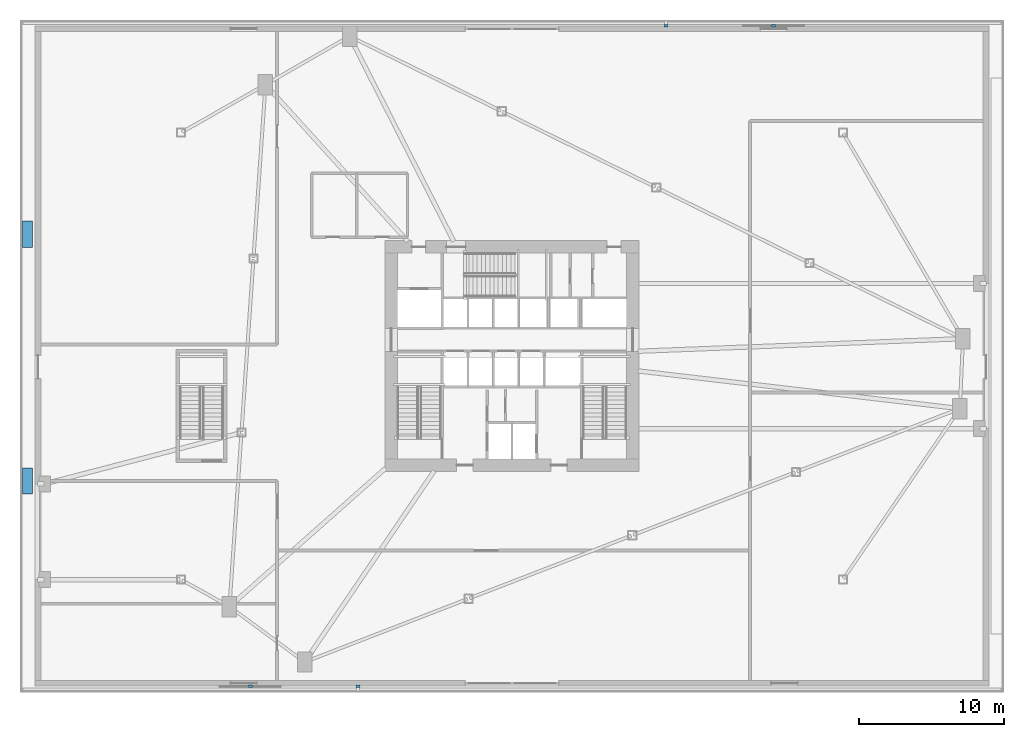
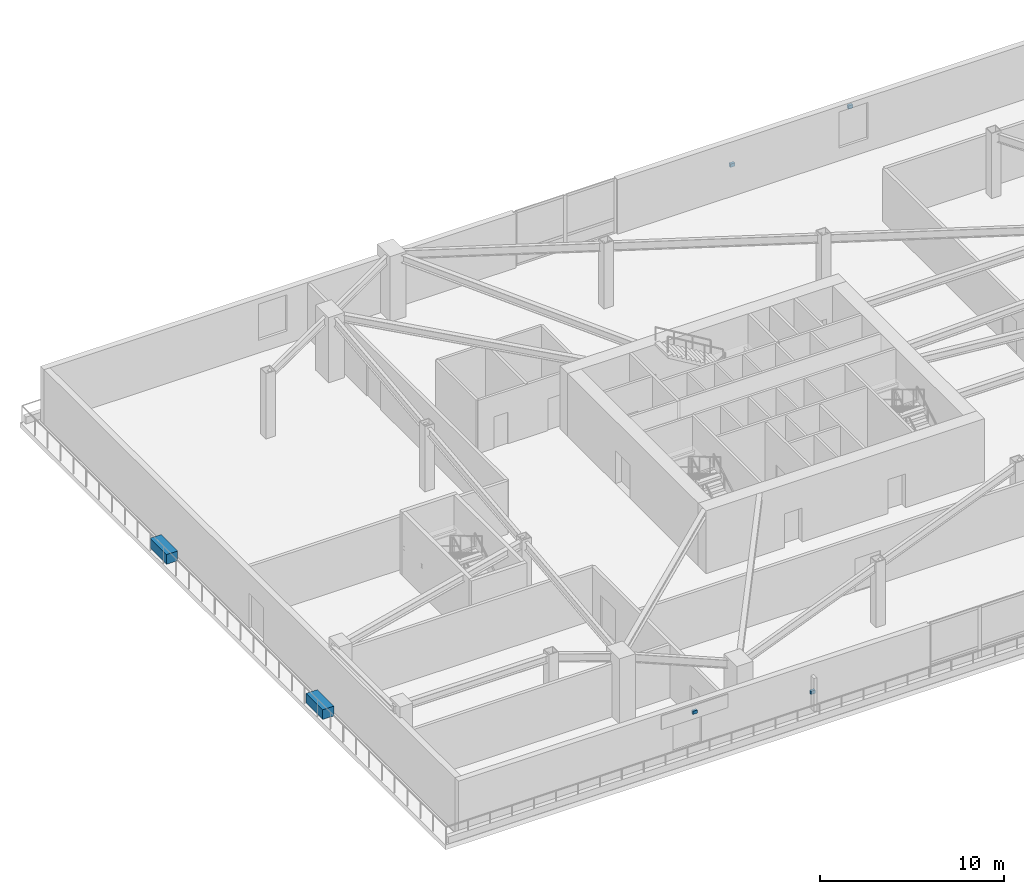
# One storey, part 11 of 16: 6 discrete accessories.
"""IFC4 building model written with IfcOpenShell, lengths in metres."""

from ifc_helpers import new_model, si_unit, direction, frame, origin, origin_2d, place, context, subcontext, project, spatial, rectangle, extrude, source, transform, mapped, material, type_object, element, save


model = new_model("IFC4")

# Units and contexts
model_context = context("Model", 3, precision=1e-05, world=origin(), true_north=direction((0.0, 1.0)))
body_context = subcontext(model_context, "Body", "Model", "MODEL_VIEW")
ifc_project = project(units=[si_unit("LENGTHUNIT", "METRE"), si_unit("AREAUNIT", "SQUARE_METRE"), si_unit("VOLUMEUNIT", "CUBIC_METRE"), si_unit("PLANEANGLEUNIT", "RADIAN"), si_unit("MASSUNIT", "GRAM", prefix="KILO")], contexts=[model_context])

# Site, building, storey
site_placement = place(None, origin())
site = spatial("IfcSite", under=ifc_project, at=site_placement, CompositionType="ELEMENT")
building_placement = place(site_placement, origin())
building = spatial("IfcBuilding", under=site, at=building_placement, Name="Olszyna Solenne Hotel", CompositionType="ELEMENT")
storey_placement = place(building_placement, frame((0.0, 0.0, 15.60009765625)))
storey = spatial("IfcBuildingStorey", under=building, at=storey_placement, Name="L03", CompositionType="ELEMENT", Elevation=15.60009765625)

# Discrete accessories
ifc_material_1 = material(Name="Steel S355J2", Category="steel")
discrete_accessory_type_1 = type_object("IfcDiscreteAccessoryType", Name="BRK-01", PredefinedType="BRACKET", material=ifc_material_1)
shared_shape_1 = source(origin(), body_context, "Body", "SweptSolid", [
    extrude(rectangle(XDim=0.280029296875, YDim=0.159912109375, at=origin_2d()), origin(), (0.0, 0.0, 1.0), 0.219970703125),
])
for number, where, z_axis, x_axis, name in (
    (1, (19.97509765625, 3.844970703125, 2.9619140625), (0.0, 0.0, 1.0), (-1.0, 0.0, 0.0), "Facade support bracket BRK-CD-L03-SW"),
    (2, (27.387451171875, 3.844970703125, 1.68994140625), (0.0, 0.0, 1.0), (-1.0, 0.0, 0.0), "Facade support bracket BRK-FN-L03-SW"),
    (3, (56.02490234375, 49.35498046875, 2.9619140625), (0.0, 0.0, 1.0), (1.0, 0.0, 0.0), "Facade support bracket BRK-CD-L03-NE"),
    (4, (48.612548828125, 49.35498046875, 1.68994140625), (0.0, 0.0, 1.0), (1.0, 0.0, 0.0), "Facade support bracket BRK-FN-L03-NE"),
):
    element("IfcDiscreteAccessory", number, at=place(storey_placement, frame(where, z_axis=z_axis, x_axis=x_axis)), inside=storey, type_object=discrete_accessory_type_1, Name=name, PredefinedType="BRACKET", context=body_context, shape_type="MappedRepresentation", body=[
        mapped(shared_shape_1, transform((0.0, 0.0, 0.0), x_axis=(1.0, 0.0, 0.0), y_axis=(0.0, 1.0, 0.0), z_axis=(0.0, 0.0, 1.0), scale=1.0)),
    ])
ifc_material_2 = material(Name="Precast concrete C45/55", Category="concrete")
discrete_accessory_type_2 = type_object("IfcDiscreteAccessoryType", Name="PLN-01", PredefinedType="USERDEFINED", material=ifc_material_2)
shared_shape_2 = source(origin(), body_context, "Body", "SweptSolid", [
    extrude(rectangle(XDim=1.800048828125, YDim=0.699951171875, at=origin_2d()), origin(), (0.0, 0.0, 1.0), 0.64990234375),
])
for number, where, z_axis, x_axis, name in (
    (5, (4.6201171875, 18.0, 0.0), (0.0, 0.0, 1.0), (0.0, 1.0, 0.0), "Terrace planted structural planter PLN-L03-1"),
    (6, (4.6201171875, 35.0, 0.0), (0.0, 0.0, 1.0), (0.0, 1.0, 0.0), "Terrace planted structural planter PLN-L03-2"),
):
    element("IfcDiscreteAccessory", number, at=place(storey_placement, frame(where, z_axis=z_axis, x_axis=x_axis)), inside=storey, type_object=discrete_accessory_type_2, Name=name, ObjectType="PLANTER", PredefinedType="USERDEFINED", context=body_context, shape_type="MappedRepresentation", body=[
        mapped(shared_shape_2, transform((0.0, 0.0, 0.0), x_axis=(1.0, 0.0, 0.0), y_axis=(0.0, 1.0, 0.0), z_axis=(0.0, 0.0, 1.0), scale=1.0)),
    ])

save(model, "model.ifc")
